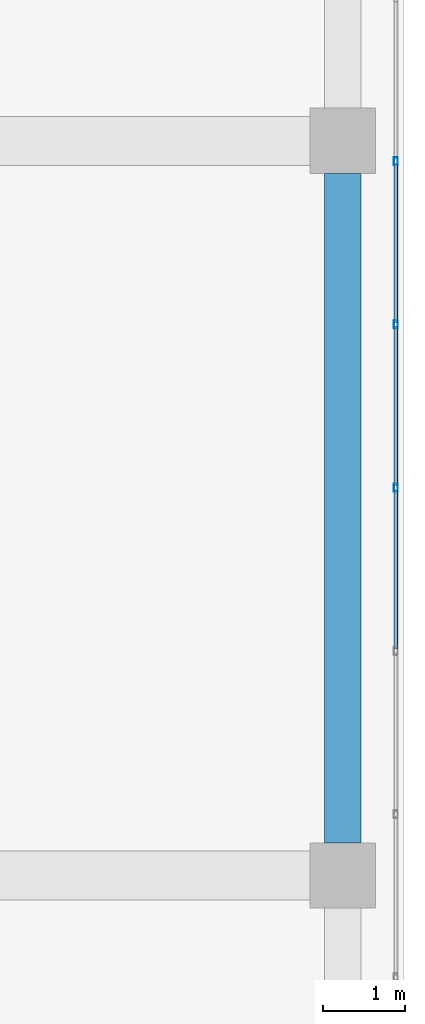
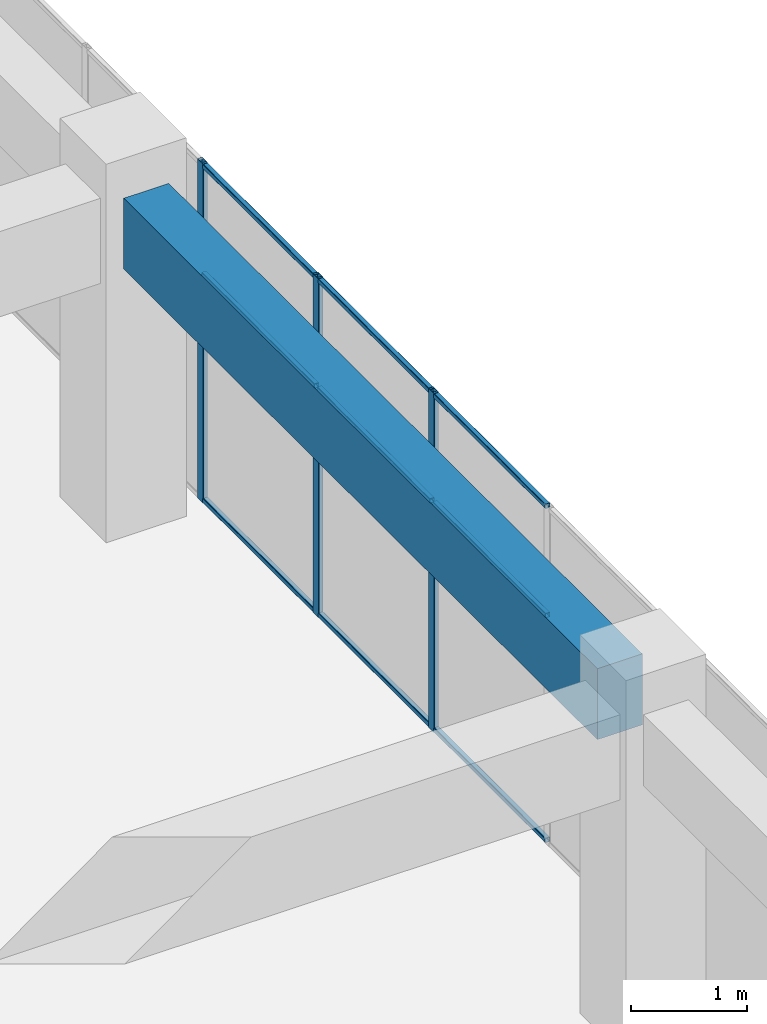
# One storey, part 50 of 72: 12 members, 1 beam, 1 element without a shape of its own.
"""IFC4 building model written with IfcOpenShell, lengths in metres."""

from ifc_helpers import new_model, si_unit, direction, frame, origin, origin_2d, place, context, subcontext, project, spatial, rectangle, hollow_rectangle, extrude, material, layer, layer_set, material_profile, profile_set, type_object, element, aggregate, save


model = new_model("IFC4")

# Units and contexts
model_context = context("Model", 3, precision=1e-05, world=origin(), true_north=direction((0.0, 1.0)))
body_context = subcontext(model_context, "Body", "Model", "MODEL_VIEW")
ifc_project = project(units=[si_unit("LENGTHUNIT", "METRE"), si_unit("AREAUNIT", "SQUARE_METRE"), si_unit("VOLUMEUNIT", "CUBIC_METRE"), si_unit("PLANEANGLEUNIT", "RADIAN"), si_unit("MASSUNIT", "GRAM", prefix="KILO")], contexts=[model_context])

# Site, building, storey
site_placement = place(None, origin())
site = spatial("IfcSite", under=ifc_project, at=site_placement, CompositionType="ELEMENT")
building_placement = place(site_placement, origin())
building = spatial("IfcBuilding", under=site, at=building_placement, Name="Tuart Plaza Theatre", CompositionType="ELEMENT")
storey_placement = place(building_placement, frame((0.0, 0.0, 13.5)))
storey = spatial("IfcBuildingStorey", under=building, at=storey_placement, Name="L03", CompositionType="ELEMENT", Elevation=13.5)

# Beam
ifc_material_1 = material(Name="Concrete N40 (40 MPa)", Category="concrete")
ifc_material_profile_1 = material_profile(ifc_material_1, rectangle(XDim=0.449951171875, YDim=0.75, at=origin_2d()), Name="BEAM 450x750 Concrete N40 (40 MPa)")
ifc_profile_set_1 = profile_set([ifc_material_profile_1], Name="Concrete N40 (40 MPa)")
beam_type = type_object("IfcBeamType", Name="BEAM 450x750 Concrete N40 (40 MPa)", PredefinedType="BEAM", material=ifc_profile_set_1)
beam_placement = place(storey_placement, frame((150.0, 74.39990234375, 3.205078125), z_axis=(0.0, 1.0, 0.0), x_axis=(-1.0, 0.0, 0.0)))
element("IfcBeam", 1, at=beam_placement, inside=storey, type_object=beam_type, Name="RB200", PredefinedType="BEAM", context=body_context, shape_type="SweptSolid", body=[
    extrude(rectangle(XDim=0.449951171875, YDim=0.75, at=origin_2d()), origin(), (0.0, 0.0, 1.0), 8.2001953125),
])

# Curtain wall, members
ifc_material_2 = material(Name="Aluminium and glass", Category="aluminium")
ifc_layer = layer(ifc_material_2, 0.10009765625)
ifc_layer_set = layer_set([ifc_layer], Name="CURTAIN WALL 2000 module")
curtain_wall_type = type_object("IfcCurtainWallType", Name="CURTAIN WALL 2000 module", PredefinedType="NOTDEFINED", material=ifc_layer_set)
curtain_wall_placement = place(storey_placement, origin())
curtain_wall = element("IfcCurtainWall", 2, at=curtain_wall_placement, inside=storey, type_object=curtain_wall_type, Name="CW69", PredefinedType="NOTDEFINED")
ifc_material_3 = material(Name="Aluminium 6063-T5", Category="aluminium")
ifc_material_profile_2 = material_profile(ifc_material_3, hollow_rectangle(XDim=0.050048828125, YDim=0.10009765625, WallThickness=0.00390625, InnerFilletRadius=0.00390625, OuterFilletRadius=0.008056640625, at=origin_2d()), Name="RHS 100x50x4")
ifc_profile_set_2 = profile_set([ifc_material_profile_2], Name="Aluminium 6063-T5")
member_type_1 = type_object("IfcMemberType", Name="MULLION RHS 100x50x4", PredefinedType="MULLION", material=ifc_profile_set_2)
member_1_placement = place(storey_placement, frame((150.64990234375, 78.75, 0.0), z_axis=(0.0, 0.0, 1.0), x_axis=(-1.0, 0.0, 0.0)))
member_1 = element("IfcMember", 3, at=member_1_placement, type_object=member_type_1, Name="CW69 mullion 15", PredefinedType="MULLION", context=body_context, shape_type="SweptSolid", body=[
    extrude(hollow_rectangle(XDim=0.050048828125, YDim=0.10009765625, WallThickness=0.00390625, InnerFilletRadius=0.00390625, OuterFilletRadius=0.008056640625, at=origin_2d()), origin(), (0.0, 0.0, 1.0), 3.580078125),
])
member_2_placement = place(storey_placement, frame((150.64990234375, 80.75, 0.0), z_axis=(0.0, 0.0, 1.0), x_axis=(-1.0, 0.0, 0.0)))
member_2 = element("IfcMember", 4, at=member_2_placement, type_object=member_type_1, Name="CW69 mullion 16", PredefinedType="MULLION", context=body_context, shape_type="SweptSolid", body=[
    extrude(hollow_rectangle(XDim=0.050048828125, YDim=0.10009765625, WallThickness=0.00390625, InnerFilletRadius=0.00390625, OuterFilletRadius=0.008056640625, at=origin_2d()), origin(), (0.0, 0.0, 1.0), 3.580078125),
])
member_3_placement = place(storey_placement, frame((150.64990234375, 82.75, 0.0), z_axis=(0.0, 0.0, 1.0), x_axis=(-1.0, 0.0, 0.0)))
member_3 = element("IfcMember", 5, at=member_3_placement, type_object=member_type_1, Name="CW69 mullion 17", PredefinedType="MULLION", context=body_context, shape_type="SweptSolid", body=[
    extrude(hollow_rectangle(XDim=0.050048828125, YDim=0.10009765625, WallThickness=0.00390625, InnerFilletRadius=0.00390625, OuterFilletRadius=0.008056640625, at=origin_2d()), origin(), (0.0, 0.0, 1.0), 3.580078125),
])
ifc_material_4 = material(Name="Aluminium 6063-T5", Category="aluminium")
ifc_material_profile_3 = material_profile(ifc_material_4, hollow_rectangle(XDim=0.050048828125, YDim=0.050048828125, WallThickness=0.00390625, InnerFilletRadius=0.00390625, OuterFilletRadius=0.008056640625, at=origin_2d()), Name="RHS 50x50x4")
ifc_profile_set_3 = profile_set([ifc_material_profile_3], Name="Aluminium 6063-T5")
member_type_2 = type_object("IfcMemberType", Name="TRANSOM RHS 50x50x4", PredefinedType="USERDEFINED", material=ifc_profile_set_3)
member_4_placement = place(storey_placement, frame((150.64990234375, 76.77490234375, 0.02490234375), z_axis=(0.0, 1.0, 0.0), x_axis=(-1.0, 0.0, 0.0)))
member_4 = element("IfcMember", 6, at=member_4_placement, type_object=member_type_2, Name="CW69 transom 14.1", ObjectType="TRANSOM", PredefinedType="USERDEFINED", context=body_context, shape_type="SweptSolid", body=[
    extrude(hollow_rectangle(XDim=0.050048828125, YDim=0.050048828125, WallThickness=0.00390625, InnerFilletRadius=0.00390625, OuterFilletRadius=0.008056640625, at=origin_2d()), origin(), (0.0, 0.0, 1.0), 1.9501953125),
])
member_5_placement = place(storey_placement, frame((150.64990234375, 76.77490234375, 2.39990234375), z_axis=(0.0, 1.0, 0.0), x_axis=(-1.0, 0.0, 0.0)))
member_5 = element("IfcMember", 7, at=member_5_placement, type_object=member_type_2, Name="CW69 transom 14.2", ObjectType="TRANSOM", PredefinedType="USERDEFINED", context=body_context, shape_type="SweptSolid", body=[
    extrude(hollow_rectangle(XDim=0.050048828125, YDim=0.050048828125, WallThickness=0.00390625, InnerFilletRadius=0.00390625, OuterFilletRadius=0.008056640625, at=origin_2d()), origin(), (0.0, 0.0, 1.0), 1.9501953125),
])
member_6_placement = place(storey_placement, frame((150.64990234375, 76.77490234375, 3.554931640625), z_axis=(0.0, 1.0, 0.0), x_axis=(-1.0, 0.0, 0.0)))
member_6 = element("IfcMember", 8, at=member_6_placement, type_object=member_type_2, Name="CW69 transom 14.3", ObjectType="TRANSOM", PredefinedType="USERDEFINED", context=body_context, shape_type="SweptSolid", body=[
    extrude(hollow_rectangle(XDim=0.050048828125, YDim=0.050048828125, WallThickness=0.00390625, InnerFilletRadius=0.00390625, OuterFilletRadius=0.008056640625, at=origin_2d()), origin(), (0.0, 0.0, 1.0), 1.9501953125),
])
member_7_placement = place(storey_placement, frame((150.64990234375, 78.77490234375, 0.02490234375), z_axis=(0.0, 1.0, 0.0), x_axis=(-1.0, 0.0, 0.0)))
member_7 = element("IfcMember", 9, at=member_7_placement, type_object=member_type_2, Name="CW69 transom 15.1", ObjectType="TRANSOM", PredefinedType="USERDEFINED", context=body_context, shape_type="SweptSolid", body=[
    extrude(hollow_rectangle(XDim=0.050048828125, YDim=0.050048828125, WallThickness=0.00390625, InnerFilletRadius=0.00390625, OuterFilletRadius=0.008056640625, at=origin_2d()), origin(), (0.0, 0.0, 1.0), 1.9501953125),
])
member_8_placement = place(storey_placement, frame((150.64990234375, 78.77490234375, 2.39990234375), z_axis=(0.0, 1.0, 0.0), x_axis=(-1.0, 0.0, 0.0)))
member_8 = element("IfcMember", 10, at=member_8_placement, type_object=member_type_2, Name="CW69 transom 15.2", ObjectType="TRANSOM", PredefinedType="USERDEFINED", context=body_context, shape_type="SweptSolid", body=[
    extrude(hollow_rectangle(XDim=0.050048828125, YDim=0.050048828125, WallThickness=0.00390625, InnerFilletRadius=0.00390625, OuterFilletRadius=0.008056640625, at=origin_2d()), origin(), (0.0, 0.0, 1.0), 1.9501953125),
])
member_9_placement = place(storey_placement, frame((150.64990234375, 78.77490234375, 3.554931640625), z_axis=(0.0, 1.0, 0.0), x_axis=(-1.0, 0.0, 0.0)))
member_9 = element("IfcMember", 11, at=member_9_placement, type_object=member_type_2, Name="CW69 transom 15.3", ObjectType="TRANSOM", PredefinedType="USERDEFINED", context=body_context, shape_type="SweptSolid", body=[
    extrude(hollow_rectangle(XDim=0.050048828125, YDim=0.050048828125, WallThickness=0.00390625, InnerFilletRadius=0.00390625, OuterFilletRadius=0.008056640625, at=origin_2d()), origin(), (0.0, 0.0, 1.0), 1.9501953125),
])
member_10_placement = place(storey_placement, frame((150.64990234375, 80.77490234375, 0.02490234375), z_axis=(0.0, 1.0, 0.0), x_axis=(-1.0, 0.0, 0.0)))
member_10 = element("IfcMember", 12, at=member_10_placement, type_object=member_type_2, Name="CW69 transom 16.1", ObjectType="TRANSOM", PredefinedType="USERDEFINED", context=body_context, shape_type="SweptSolid", body=[
    extrude(hollow_rectangle(XDim=0.050048828125, YDim=0.050048828125, WallThickness=0.00390625, InnerFilletRadius=0.00390625, OuterFilletRadius=0.008056640625, at=origin_2d()), origin(), (0.0, 0.0, 1.0), 1.9501953125),
])
member_11_placement = place(storey_placement, frame((150.64990234375, 80.77490234375, 2.39990234375), z_axis=(0.0, 1.0, 0.0), x_axis=(-1.0, 0.0, 0.0)))
member_11 = element("IfcMember", 13, at=member_11_placement, type_object=member_type_2, Name="CW69 transom 16.2", ObjectType="TRANSOM", PredefinedType="USERDEFINED", context=body_context, shape_type="SweptSolid", body=[
    extrude(hollow_rectangle(XDim=0.050048828125, YDim=0.050048828125, WallThickness=0.00390625, InnerFilletRadius=0.00390625, OuterFilletRadius=0.008056640625, at=origin_2d()), origin(), (0.0, 0.0, 1.0), 1.9501953125),
])
member_12_placement = place(storey_placement, frame((150.64990234375, 80.77490234375, 3.554931640625), z_axis=(0.0, 1.0, 0.0), x_axis=(-1.0, 0.0, 0.0)))
member_12 = element("IfcMember", 14, at=member_12_placement, type_object=member_type_2, Name="CW69 transom 16.3", ObjectType="TRANSOM", PredefinedType="USERDEFINED", context=body_context, shape_type="SweptSolid", body=[
    extrude(hollow_rectangle(XDim=0.050048828125, YDim=0.050048828125, WallThickness=0.00390625, InnerFilletRadius=0.00390625, OuterFilletRadius=0.008056640625, at=origin_2d()), origin(), (0.0, 0.0, 1.0), 1.9501953125),
])
aggregate(curtain_wall, [member_1, member_2, member_3, member_4, member_5, member_6, member_7, member_8, member_9, member_10, member_11, member_12])

save(model, "model.ifc")
